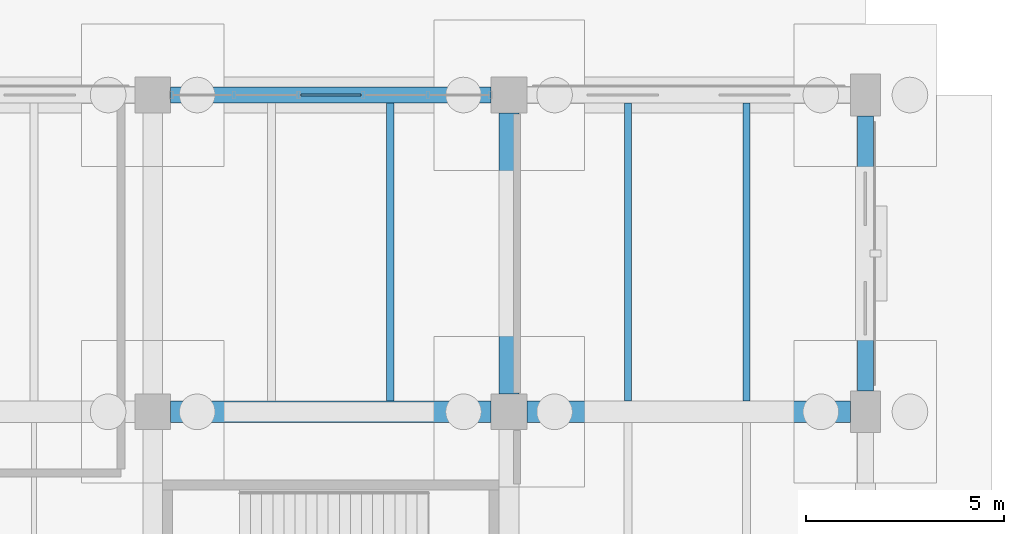
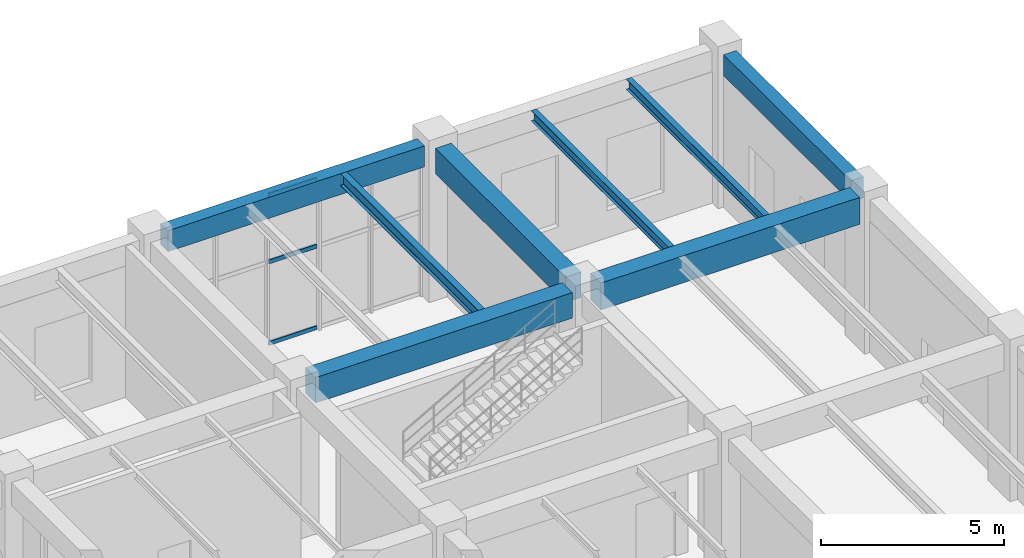
# One storey, part 80 of 121: 8 beams, 3 members, 1 element without a shape of its own.
"""IFC4 building model written with IfcOpenShell, lengths in metres."""

from ifc_helpers import new_model, si_unit, derived_unit, direction, frame, origin, origin_2d, place, context, subcontext, project, spatial, rectangle, hollow_rectangle, i_section, extrude, material, material_profile, profile_set, type_object, element, aggregate, save


model = new_model("IFC4")

# Units and contexts
model_context = context("Model", 3, precision=1e-05, world=origin(), true_north=direction((0.0, 1.0)))
body_context = subcontext(model_context, "Body", "Model", "MODEL_VIEW")
ifc_project = project(units=[si_unit("LENGTHUNIT", "METRE"), si_unit("AREAUNIT", "SQUARE_METRE"), si_unit("VOLUMEUNIT", "CUBIC_METRE"), si_unit("PLANEANGLEUNIT", "RADIAN"), si_unit("MASSUNIT", "GRAM", prefix="KILO"), derived_unit("THERMALTRANSMITTANCEUNIT", [(si_unit("MASSUNIT", "GRAM", prefix="KILO"), 1), (si_unit("TIMEUNIT", "SECOND"), -3), (si_unit("THERMODYNAMICTEMPERATUREUNIT", "KELVIN"), -1)])], contexts=[model_context])

# Site, building, storey
site_placement = place(None, origin())
site = spatial("IfcSite", under=ifc_project, at=site_placement, CompositionType="ELEMENT")
building_placement = place(site_placement, origin())
building = spatial("IfcBuilding", under=site, at=building_placement, Name="Zhenchuan Archway Interchange", CompositionType="ELEMENT")
storey_placement = place(building_placement, origin())
storey = spatial("IfcBuildingStorey", under=building, at=storey_placement, Name="L00", CompositionType="ELEMENT", Elevation=0.0)

# Beams
ifc_material_1 = material(Name="Concrete C40", Category="concrete")
ifc_material_profile_1 = material_profile(ifc_material_1, rectangle(XDim=0.5, YDim=0.85009765625, at=origin_2d()), Name="RC 500x850")
ifc_profile_set_1 = profile_set([ifc_material_profile_1], Name="Concrete C40")
beam_type_1 = type_object("IfcBeamType", Name="BM_RC_500x850", PredefinedType="BEAM", material=ifc_profile_set_1)
beam_1_placement = place(storey_placement, frame((162.0, 96.449951171875, 4.655029296875), z_axis=(0.0, 1.0, 0.0), x_axis=(-1.0, 0.0, 0.0)))
element("IfcBeam", 1, at=beam_1_placement, inside=storey, type_object=beam_type_1, Name="Beam 19:N-O (L00)", PredefinedType="BEAM", context=body_context, shape_type="SweptSolid", body=[
    extrude(rectangle(XDim=0.5, YDim=0.85009765625, at=origin_2d()), origin(), (0.0, 0.0, 1.0), 7.10009765625),
])
ifc_material_profile_2 = material_profile(ifc_material_1, rectangle(XDim=0.550048828125, YDim=0.85009765625, at=origin_2d()), Name="RC 550x850")
ifc_profile_set_2 = profile_set([ifc_material_profile_2], Name="Concrete C40")
beam_type_2 = type_object("IfcBeamType", Name="BM_RC_550x850", PredefinedType="BEAM", material=ifc_profile_set_2)
beam_2_placement = place(storey_placement, frame((153.449951171875, 96.0, 4.655029296875), z_axis=(1.0, 0.0, 0.0), x_axis=(0.0, 1.0, 0.0)))
element("IfcBeam", 2, at=beam_2_placement, inside=storey, type_object=beam_type_2, Name="Beam N:18-19 (L00)", PredefinedType="BEAM", context=body_context, shape_type="SweptSolid", body=[
    extrude(rectangle(XDim=0.550048828125, YDim=0.85009765625, at=origin_2d()), origin(), (0.0, 0.0, 1.0), 8.10009765625),
])
ifc_material_profile_3 = material_profile(ifc_material_1, rectangle(XDim=0.550048828125, YDim=0.89990234375, at=origin_2d()), Name="RC 550x900")
ifc_profile_set_3 = profile_set([ifc_material_profile_3], Name="Concrete C40")
beam_type_3 = type_object("IfcBeamType", Name="BM_RC_550x900", PredefinedType="BEAM", material=ifc_profile_set_3)
beam_3_placement = place(storey_placement, frame((162.449951171875, 96.0, 4.6298828125), z_axis=(1.0, 0.0, 0.0), x_axis=(0.0, 1.0, 0.0)))
element("IfcBeam", 3, at=beam_3_placement, inside=storey, type_object=beam_type_3, Name="Beam N:19-20 (L00)", PredefinedType="BEAM", context=body_context, shape_type="SweptSolid", body=[
    extrude(rectangle(XDim=0.550048828125, YDim=0.89990234375, at=origin_2d()), origin(), (0.0, 0.0, 1.0), 8.175048828125),
])

# Curtain wall, members
ifc_material_2 = material(Name="Anodised Aluminium", Category="aluminium")
curtain_wall_type = type_object("IfcCurtainWallType", Name="CW_UNIT_2", PredefinedType="NOTDEFINED", material=ifc_material_2)
curtain_wall_placement = place(storey_placement, origin())
curtain_wall = element("IfcCurtainWall", 4, at=curtain_wall_placement, inside=storey, type_object=curtain_wall_type, Name="Unitised curtain wall CW:L00:013", PredefinedType="NOTDEFINED")
ifc_material_profile_4 = material_profile(ifc_material_2, hollow_rectangle(XDim=0.06005859375, YDim=0.139892578125, WallThickness=0.00341796875, InnerFilletRadius=0.00341796875, OuterFilletRadius=0.007080078125, at=origin_2d()), Name="ALU 140x60x3.5")
ifc_profile_set_4 = profile_set([ifc_material_profile_4], Name="Anodised Aluminium")
member_type = type_object("IfcMemberType", Name="CW_TRN_140", PredefinedType="USERDEFINED", material=ifc_profile_set_4)
member_1_placement = place(storey_placement, frame((156.74365234375, 104.0, 0.06005859375), z_axis=(1.0, 0.0, 0.0), x_axis=(0.0, 1.0, 0.0)))
member_1 = element("IfcMember", 5, at=member_1_placement, type_object=member_type, Name="CW:L00:013 transom 2-1", ObjectType="TRANSOM", PredefinedType="USERDEFINED", context=body_context, shape_type="SweptSolid", body=[
    extrude(hollow_rectangle(XDim=0.06005859375, YDim=0.139892578125, WallThickness=0.00341796875, InnerFilletRadius=0.00341796875, OuterFilletRadius=0.007080078125, at=origin_2d()), origin(), (0.0, 0.0, 1.0), 1.5126953125),
])
member_2_placement = place(storey_placement, frame((156.74365234375, 104.0, 2.782958984375), z_axis=(1.0, 0.0, 0.0), x_axis=(0.0, 1.0, 0.0)))
member_2 = element("IfcMember", 6, at=member_2_placement, type_object=member_type, Name="CW:L00:013 transom 2-2", ObjectType="TRANSOM", PredefinedType="USERDEFINED", context=body_context, shape_type="SweptSolid", body=[
    extrude(hollow_rectangle(XDim=0.06005859375, YDim=0.139892578125, WallThickness=0.00341796875, InnerFilletRadius=0.00341796875, OuterFilletRadius=0.007080078125, at=origin_2d()), origin(), (0.0, 0.0, 1.0), 1.5126953125),
])
member_3_placement = place(storey_placement, frame((156.74365234375, 104.0, 5.0), z_axis=(1.0, 0.0, 0.0), x_axis=(0.0, 1.0, 0.0)))
member_3 = element("IfcMember", 7, at=member_3_placement, type_object=member_type, Name="CW:L00:013 transom 2-3", ObjectType="TRANSOM", PredefinedType="USERDEFINED", context=body_context, shape_type="SweptSolid", body=[
    extrude(hollow_rectangle(XDim=0.06005859375, YDim=0.139892578125, WallThickness=0.00341796875, InnerFilletRadius=0.00341796875, OuterFilletRadius=0.007080078125, at=origin_2d()), origin(), (0.0, 0.0, 1.0), 1.5126953125),
])
aggregate(curtain_wall, [member_1, member_2, member_3])

# Beams
ifc_material_3 = material(Name="Steel Q355", Category="steel")
ifc_material_profile_5 = material_profile(ifc_material_3, i_section(OverallWidth=0.175048828125, OverallDepth=0.35009765625, WebThickness=0.007080078125, FlangeThickness=0.010986328125, FilletRadius=0.013916015625, at=origin_2d()), Name="HN 350x175")
ifc_profile_set_5 = profile_set([ifc_material_profile_5], Name="Steel Q355")
beam_type_4 = type_object("IfcBeamType", Name="JST_STL_HN350", PredefinedType="JOIST", material=ifc_profile_set_5)
for number, where, z_axis, x_axis, name in (
    (8, (165.0, 96.27490234375, 4.905029296875), (0.0, 1.0, 0.0), (-1.0, 0.0, 0.0), "Secondary joist 19-20/N-O #1 (L00)"),
    (9, (168.0, 96.27490234375, 4.905029296875), (0.0, 1.0, 0.0), (-1.0, 0.0, 0.0), "Secondary joist 19-20/N-O #2 (L00)"),
):
    element("IfcBeam", number, at=place(storey_placement, frame(where, z_axis=z_axis, x_axis=x_axis)), inside=storey, type_object=beam_type_4, Name=name, PredefinedType="JOIST", context=body_context, shape_type="SweptSolid", body=[
        extrude(i_section(OverallWidth=0.175048828125, OverallDepth=0.35009765625, WebThickness=0.007080078125, FlangeThickness=0.010986328125, FilletRadius=0.013916015625, at=origin_2d()), origin(), (0.0, 0.0, 1.0), 7.525146484375),
    ])
ifc_material_profile_6 = material_profile(ifc_material_3, i_section(OverallWidth=0.199951171875, OverallDepth=0.39990234375, WebThickness=0.008056640625, FlangeThickness=0.012939453125, FilletRadius=0.01611328125, at=origin_2d()), Name="HN 400x200")
ifc_profile_set_6 = profile_set([ifc_material_profile_6], Name="Steel Q355")
beam_type_5 = type_object("IfcBeamType", Name="JST_STL_HN400", PredefinedType="JOIST", material=ifc_profile_set_6)
beam_4_placement = place(storey_placement, frame((159.0, 96.27490234375, 4.8798828125), z_axis=(0.0, 1.0, 0.0), x_axis=(-1.0, 0.0, 0.0)))
element("IfcBeam", 10, at=beam_4_placement, inside=storey, type_object=beam_type_5, Name="Secondary joist 18-19/N-O #2 (L00)", PredefinedType="JOIST", context=body_context, shape_type="SweptSolid", body=[
    extrude(i_section(OverallWidth=0.199951171875, OverallDepth=0.39990234375, WebThickness=0.008056640625, FlangeThickness=0.012939453125, FilletRadius=0.01611328125, at=origin_2d()), origin(), (0.0, 0.0, 1.0), 7.525146484375),
])
ifc_material_profile_7 = material_profile(ifc_material_1, rectangle(XDim=0.39990234375, YDim=0.699951171875, at=origin_2d()), Name="RC 400x700")
ifc_profile_set_7 = profile_set([ifc_material_profile_7], Name="Concrete C40")
beam_type_6 = type_object("IfcBeamType", Name="SP_RC_400x700", PredefinedType="SPANDREL", material=ifc_profile_set_7)
beam_5_placement = place(storey_placement, frame((153.449951171875, 104.0, 4.72998046875), z_axis=(1.0, 0.0, 0.0), x_axis=(0.0, 1.0, 0.0)))
element("IfcBeam", 11, at=beam_5_placement, inside=storey, type_object=beam_type_6, Name="Beam O:18-19 (L00)", PredefinedType="SPANDREL", context=body_context, shape_type="SweptSolid", body=[
    extrude(rectangle(XDim=0.39990234375, YDim=0.699951171875, at=origin_2d()), origin(), (0.0, 0.0, 1.0), 8.10009765625),
])
beam_6_placement = place(storey_placement, frame((171.0, 96.52490234375, 4.72998046875), z_axis=(0.0, 1.0, 0.0), x_axis=(-1.0, 0.0, 0.0)))
element("IfcBeam", 12, at=beam_6_placement, inside=storey, type_object=beam_type_6, Name="Beam 20:N-O (L00)", PredefinedType="SPANDREL", context=body_context, shape_type="SweptSolid", body=[
    extrude(rectangle(XDim=0.39990234375, YDim=0.699951171875, at=origin_2d()), origin(), (0.0, 0.0, 1.0), 6.9501953125),
])

save(model, "model.ifc")
